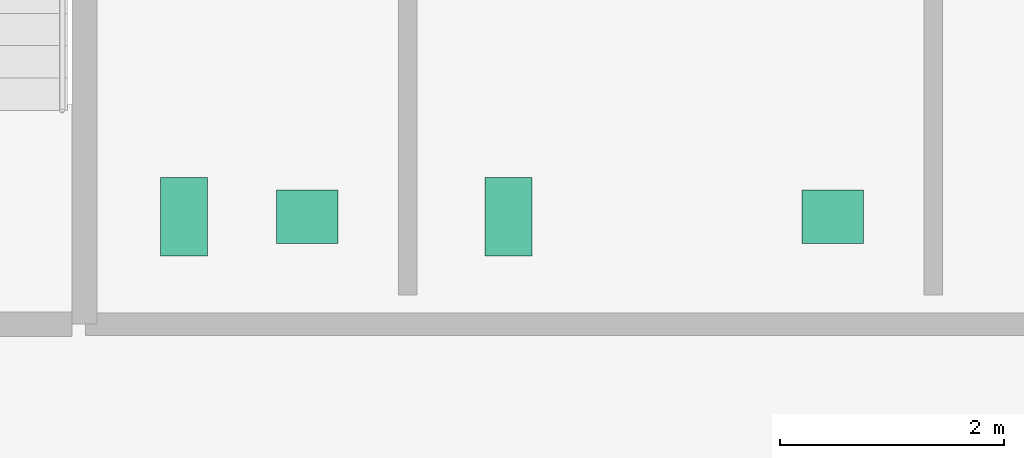
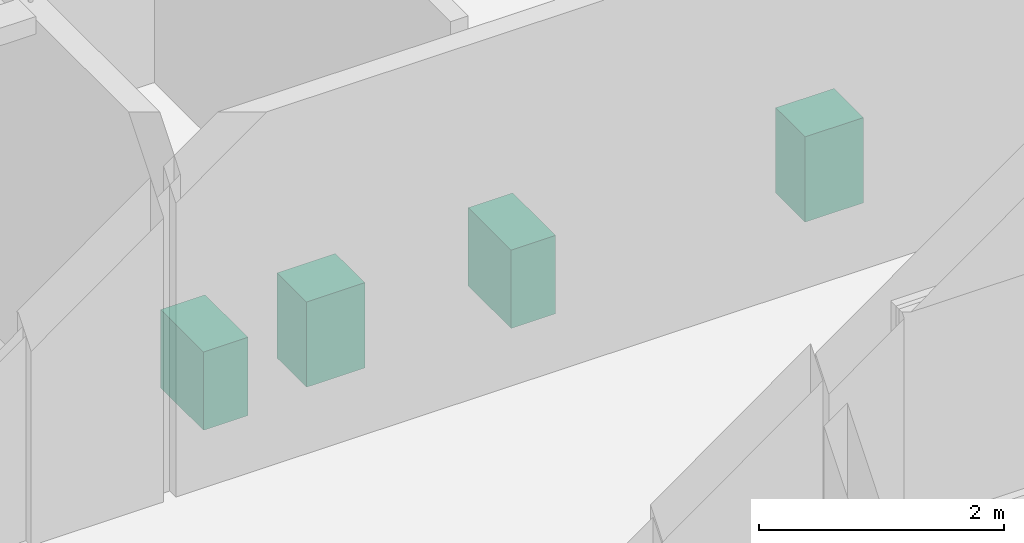
# One storey, part 11 of 11: 4 sanitary terminals.
"""IFC4 building model written with IfcOpenShell, lengths in metres."""

from ifc_helpers import new_model, si_unit, direction, frame, origin, origin_2d, place, context, subcontext, project, spatial, rectangle, extrude, material, type_object, element, save


model = new_model("IFC4")

# Units and contexts
model_context = context("Model", 3, precision=1e-05, world=origin(), true_north=direction((0.0, 1.0)))
body_context = subcontext(model_context, "Body", "Model", "MODEL_VIEW")
ifc_project = project(units=[si_unit("LENGTHUNIT", "METRE"), si_unit("AREAUNIT", "SQUARE_METRE"), si_unit("VOLUMEUNIT", "CUBIC_METRE"), si_unit("PLANEANGLEUNIT", "RADIAN"), si_unit("MASSUNIT", "GRAM", prefix="KILO")], contexts=[model_context])

# Site, building, storey
site_placement = place(None, origin())
site = spatial("IfcSite", under=ifc_project, at=site_placement, CompositionType="ELEMENT")
building_placement = place(site_placement, origin())
building = spatial("IfcBuilding", under=site, at=building_placement, Name="Norrvale University Quadrangle", CompositionType="ELEMENT")
storey_placement = place(building_placement, frame((0.0, 0.0, 288.60009765625)))
storey = spatial("IfcBuildingStorey", under=building, at=storey_placement, Name="L73", CompositionType="ELEMENT", Elevation=288.60009765625)

# Sanitary terminals
ifc_material = material(Name="Vitreous China Sanitaryware")
sanitary_terminal_type_1 = type_object("IfcSanitaryTerminalType", Name="Sanitary Wash Basin", PredefinedType="WASHHANDBASIN", material=ifc_material)
for number, where, z_axis, x_axis, name in (
    (1, (8.300048828125, 41.10009765625, -0.000244140625), (0.0, 0.0, 1.0), (1.0, 0.0, 0.0), "Accessible Countertop Washbasin L73-1"),
    (2, (13.0, 41.10009765625, -0.000244140625), (0.0, 0.0, 1.0), (1.0, 0.0, 0.0), "Accessible Countertop Washbasin L73-2"),
):
    element("IfcSanitaryTerminal", number, at=place(storey_placement, frame(where, z_axis=z_axis, x_axis=x_axis)), inside=storey, type_object=sanitary_terminal_type_1, Name=name, PredefinedType="WASHHANDBASIN", context=body_context, shape_type="SweptSolid", body=[
        extrude(rectangle(XDim=0.550048828125, YDim=0.47998046875, at=origin_2d()), origin(), (0.0, 0.0, 1.0), 0.85009765625),
    ])
sanitary_terminal_type_2 = type_object("IfcSanitaryTerminalType", Name="Sanitary Water Closet", PredefinedType="TOILETPAN", material=ifc_material)
for number, where, z_axis, x_axis, name in (
    (3, (7.199951171875, 41.10009765625, 0.0), (0.0, 0.0, 1.0), (1.0, 0.0, 0.0), "Wall-Hung Water Closet L73-1"),
    (4, (10.10009765625, 41.10009765625, 0.0), (0.0, 0.0, 1.0), (1.0, 0.0, 0.0), "Wall-Hung Water Closet L73-2"),
):
    element("IfcSanitaryTerminal", number, at=place(storey_placement, frame(where, z_axis=z_axis, x_axis=x_axis)), inside=storey, type_object=sanitary_terminal_type_2, Name=name, PredefinedType="TOILETPAN", context=body_context, shape_type="SweptSolid", body=[
        extrude(rectangle(XDim=0.419921875, YDim=0.699951171875, at=origin_2d()), origin(), (0.0, 0.0, 1.0), 0.780029296875),
    ])

save(model, "model.ifc")
